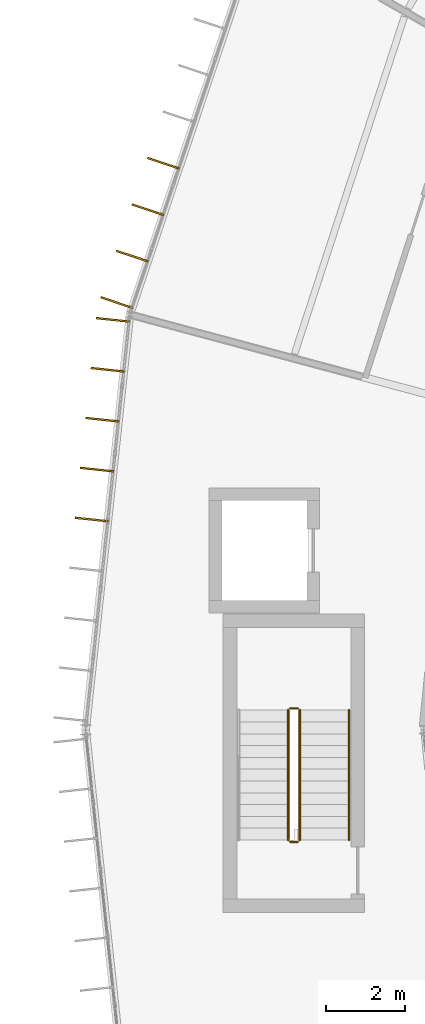
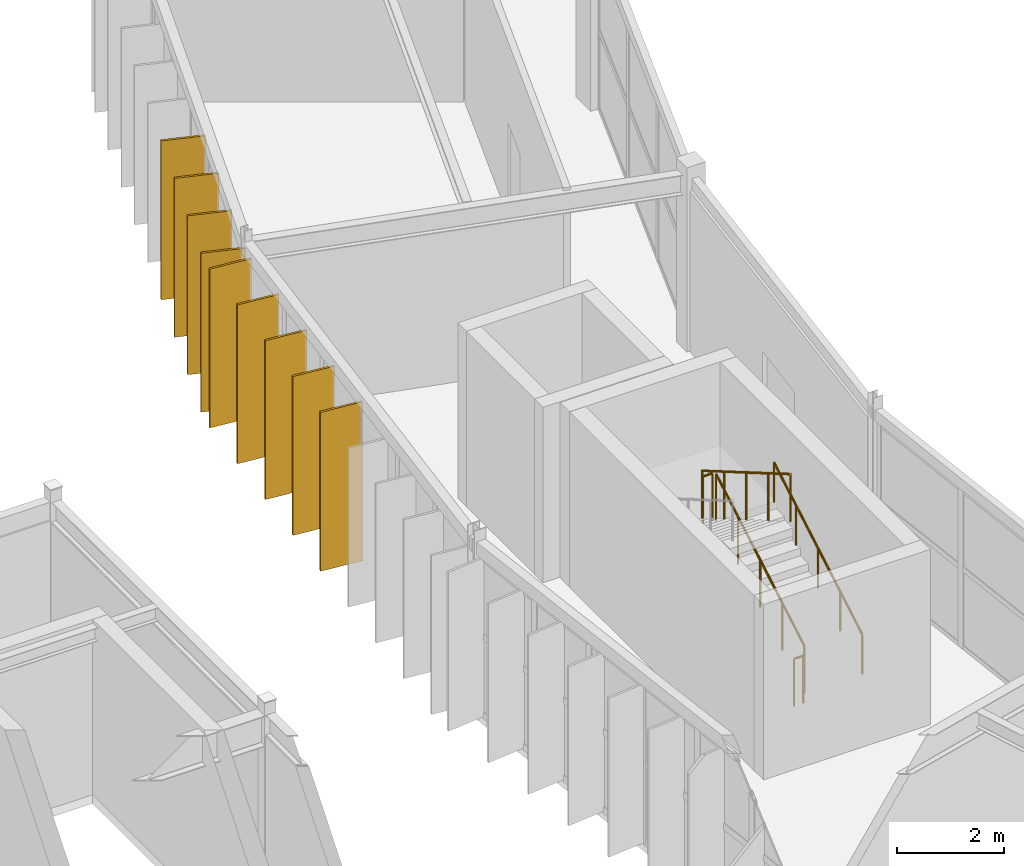
# One storey, part 122 of 130: 9 shading devices, 5 railings.
"""IFC4 building model written with IfcOpenShell, lengths in metres."""

from ifc_helpers import new_model, si_unit, direction, frame, origin, origin_2d, place, context, subcontext, project, spatial, rectangle, circle, extrude, material, layer, layer_set, type_object, element, save


model = new_model("IFC4")

# Units and contexts
model_context = context("Model", 3, precision=1e-05, world=origin(), true_north=direction((0.0, 1.0)))
body_context = subcontext(model_context, "Body", "Model", "MODEL_VIEW")
ifc_project = project(units=[si_unit("LENGTHUNIT", "METRE"), si_unit("AREAUNIT", "SQUARE_METRE"), si_unit("VOLUMEUNIT", "CUBIC_METRE"), si_unit("PLANEANGLEUNIT", "RADIAN"), si_unit("MASSUNIT", "GRAM", prefix="KILO")], contexts=[model_context])

# Site, building, storey
site_placement = place(None, origin())
site = spatial("IfcSite", under=ifc_project, at=site_placement, CompositionType="ELEMENT")
building_placement = place(site_placement, origin())
building = spatial("IfcBuilding", under=site, at=building_placement, Name="Karori Crest Natural Sciences Institute", CompositionType="ELEMENT")
storey_placement = place(building_placement, frame((0.0, 0.0, 17.5)))
storey = spatial("IfcBuildingStorey", under=building, at=storey_placement, Name="L04", CompositionType="ELEMENT", Elevation=17.5)

# Railings
ifc_material_1 = material(Name="Stainless steel 316 tubular handrail", Category="steel")
railing_type_1 = type_object("IfcRailingType", Name="RLT-HND", PredefinedType="HANDRAIL", material=ifc_material_1)
railing_1_placement = place(storey_placement, frame((40.10009765625, 47.10009765625, 0.175048828125)))
element("IfcRailing", 1, at=railing_1_placement, inside=storey, type_object=railing_type_1, Name="Stair handrail RL-0084", PredefinedType="HANDRAIL", context=body_context, shape_type="SweptSolid", body=[
    extrude(circle(Radius=0.02392578125, at=origin_2d()), frame((0.0, 0.0, 0.90087890625), z_axis=(0.0, 0.863760357493, 0.503902812876), x_axis=(-1.0, 0.0, 0.0)), (0.0, 0.0, 1.0), 3.8203125),
    extrude(circle(Radius=0.02099609375, at=origin_2d()), origin(), (0.0, 0.0, 1.0), 0.876953125),
    extrude(circle(Radius=0.02099609375, at=origin_2d()), frame((0.0, 0.824951171875, 0.481201171875)), (0.0, 0.0, 1.0), 0.876953125),
    extrude(circle(Radius=0.02099609375, at=origin_2d()), frame((0.0, 1.64990234375, 0.96240234375)), (0.0, 0.0, 1.0), 0.876953125),
    extrude(circle(Radius=0.02099609375, at=origin_2d()), frame((0.0, 2.474853515625, 1.44384765625)), (0.0, 0.0, 1.0), 0.876953125),
    extrude(circle(Radius=0.02099609375, at=origin_2d()), frame((0.0, 3.2998046875, 1.925048828125)), (0.0, 0.0, 1.0), 0.876953125),
])
ifc_material_2 = material(Name="Stainless steel 316 stair guard", Category="steel")
railing_type_2 = type_object("IfcRailingType", Name="RLT-STG", PredefinedType="GUARDRAIL", material=ifc_material_2)
railing_2_placement = place(storey_placement, frame((38.85009765625, 47.10009765625, 0.175048828125)))
element("IfcRailing", 2, at=railing_2_placement, inside=storey, type_object=railing_type_2, Name="Stair guard RL-0080", PredefinedType="GUARDRAIL", context=body_context, shape_type="SweptSolid", body=[
    extrude(circle(Radius=0.02392578125, at=origin_2d()), frame((0.0, 0.0, 1.076171875), z_axis=(0.0, 0.863760357493, 0.503902812876), x_axis=(-1.0, 0.0, 0.0)), (0.0, 0.0, 1.0), 3.8203125),
    extrude(circle(Radius=0.02099609375, at=origin_2d()), origin(), (0.0, 0.0, 1.0), 1.052001953125),
    extrude(circle(Radius=0.02099609375, at=origin_2d()), frame((0.0, 0.824951171875, 0.481201171875)), (0.0, 0.0, 1.0), 1.052001953125),
    extrude(circle(Radius=0.02099609375, at=origin_2d()), frame((0.0, 1.64990234375, 0.96240234375)), (0.0, 0.0, 1.0), 1.052001953125),
    extrude(circle(Radius=0.02099609375, at=origin_2d()), frame((0.0, 2.474853515625, 1.44384765625)), (0.0, 0.0, 1.0), 1.052001953125),
    extrude(circle(Radius=0.02099609375, at=origin_2d()), frame((0.0, 3.2998046875, 1.925048828125)), (0.0, 0.0, 1.0), 1.052001953125),
])
railing_3_placement = place(storey_placement, frame((38.800048828125, 50.449951171875, 2.10009765625)))
element("IfcRailing", 3, at=railing_3_placement, inside=storey, type_object=railing_type_2, Name="Stair guard RL-0081", PredefinedType="GUARDRAIL", context=body_context, shape_type="SweptSolid", body=[
    extrude(circle(Radius=0.02392578125, at=origin_2d()), frame((0.0, 0.0, 1.076171875), z_axis=(-1.0, 0.0, 0.0), x_axis=(0.0, -1.0, 0.0)), (0.0, 0.0, 1.0), 0.199951171875),
    extrude(circle(Radius=0.02099609375, at=origin_2d()), origin(), (0.0, 0.0, 1.0), 1.052001953125),
    extrude(circle(Radius=0.02099609375, at=origin_2d()), frame((-0.199951171875, 0.0, 0.0)), (0.0, 0.0, 1.0), 1.052001953125),
])
railing_4_placement = place(storey_placement, frame((38.550048828125, 50.39990234375, 2.27490234375)))
element("IfcRailing", 4, at=railing_4_placement, inside=storey, type_object=railing_type_2, Name="Stair guard RL-0082", PredefinedType="GUARDRAIL", context=body_context, shape_type="SweptSolid", body=[
    extrude(circle(Radius=0.02392578125, at=origin_2d()), frame((0.0, 0.0, 1.076171875), z_axis=(0.0, -0.863760357493, 0.503902812876), x_axis=(1.0, 0.0, 0.0)), (0.0, 0.0, 1.0), 3.8203125),
    extrude(circle(Radius=0.02099609375, at=origin_2d()), origin(), (0.0, 0.0, 1.0), 1.052001953125),
    extrude(circle(Radius=0.02099609375, at=origin_2d()), frame((0.0, -0.824951171875, 0.481201171875)), (0.0, 0.0, 1.0), 1.052001953125),
    extrude(circle(Radius=0.02099609375, at=origin_2d()), frame((0.0, -1.64990234375, 0.96240234375)), (0.0, 0.0, 1.0), 1.052001953125),
    extrude(circle(Radius=0.02099609375, at=origin_2d()), frame((0.0, -2.474853515625, 1.44384765625)), (0.0, 0.0, 1.0), 1.052001953125),
    extrude(circle(Radius=0.02099609375, at=origin_2d()), frame((0.0, -3.2998046875, 1.925048828125)), (0.0, 0.0, 1.0), 1.052001953125),
])
railing_5_placement = place(storey_placement, frame((38.800048828125, 47.050048828125, 0.0)))
element("IfcRailing", 5, at=railing_5_placement, inside=storey, type_object=railing_type_2, Name="Stair guard RL-0083", PredefinedType="GUARDRAIL", context=body_context, shape_type="SweptSolid", body=[
    extrude(circle(Radius=0.02392578125, at=origin_2d()), frame((0.0, 0.0, 1.076171875), z_axis=(-1.0, 0.0, 0.0), x_axis=(0.0, -1.0, 0.0)), (0.0, 0.0, 1.0), 0.199951171875),
    extrude(circle(Radius=0.02099609375, at=origin_2d()), origin(), (0.0, 0.0, 1.0), 1.052001953125),
    extrude(circle(Radius=0.02099609375, at=origin_2d()), frame((-0.199951171875, 0.0, 0.0)), (0.0, 0.0, 1.0), 1.052001953125),
])

# Shading devices
ifc_material_3 = material(Name="Anodised architectural aluminium 6063-T6", Category="aluminium")
ifc_layer = layer(ifc_material_3, 0.044921875, Name="Anodised architectural aluminium 6063-T6")
ifc_layer_set = layer_set([ifc_layer], Name="Anodised architectural aluminium 6063-T6")
shading_device_type = type_object("IfcShadingDeviceType", Name="SDT-FIN", PredefinedType="USERDEFINED", material=ifc_layer_set)
for number, where, z_axis, x_axis, name in (
    (6, (34.19384765625, 60.763916015625, 0.0), (0.0, 0.0, 1.0), (-0.948197867933, 0.317680347595, 0.0), "Vertical solar fin FN-0697"),
    (7, (34.589599609375, 61.94482421875, 0.0), (0.0, 0.0, 1.0), (-0.948197867933, 0.317680347595, 0.0), "Vertical solar fin FN-0698"),
    (8, (34.985107421875, 63.12548828125, 0.0), (0.0, 0.0, 1.0), (-0.948197867933, 0.317680347595, 0.0), "Vertical solar fin FN-0699"),
    (9, (35.380615234375, 64.306396484375, 0.0), (0.0, 0.0, 1.0), (-0.948197867933, 0.317680347595, 0.0), "Vertical solar fin FN-0700"),
    (10, (33.55712890625, 55.247802734375, 0.0), (0.0, 0.0, 1.0), (-0.994378303702, 0.105885736186, 0.0), "Vertical solar fin FN-0710"),
    (11, (33.6923828125, 56.51708984375, 0.0), (0.0, 0.0, 1.0), (-0.994378303702, 0.105885736186, 0.0), "Vertical solar fin FN-0711"),
    (12, (33.827392578125, 57.7861328125, 0.0), (0.0, 0.0, 1.0), (-0.994378303702, 0.105885736186, 0.0), "Vertical solar fin FN-0712"),
    (13, (33.962646484375, 59.055419921875, 0.0), (0.0, 0.0, 1.0), (-0.994378303702, 0.105885736186, 0.0), "Vertical solar fin FN-0713"),
    (14, (34.09765625, 60.32470703125, 0.0), (0.0, 0.0, 1.0), (-0.994378303702, 0.105885736186, 0.0), "Vertical solar fin FN-0714"),
):
    element("IfcShadingDevice", number, at=place(storey_placement, frame(where, z_axis=z_axis, x_axis=x_axis)), inside=storey, type_object=shading_device_type, Name=name, ObjectType="SOLAR_FIN", PredefinedType="USERDEFINED", context=body_context, shape_type="SweptSolid", body=[
        extrude(rectangle(XDim=0.85009765625, YDim=0.044921875, at=origin_2d()), origin(), (0.0, 0.0, 1.0), 3.625),
    ])

save(model, "model.ifc")
